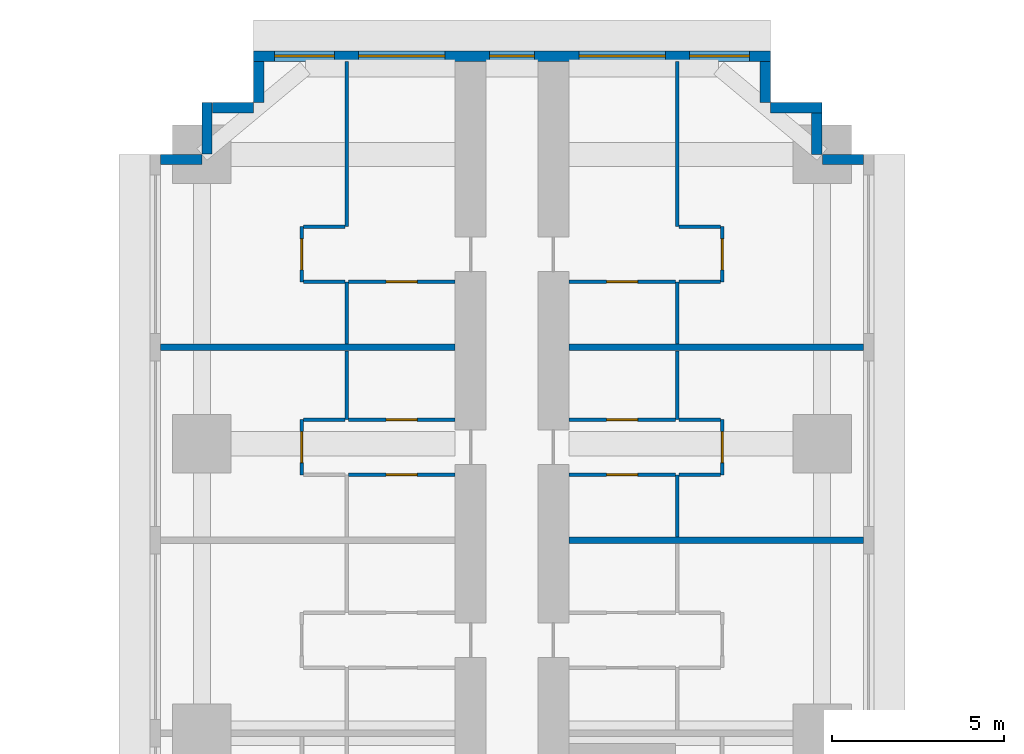
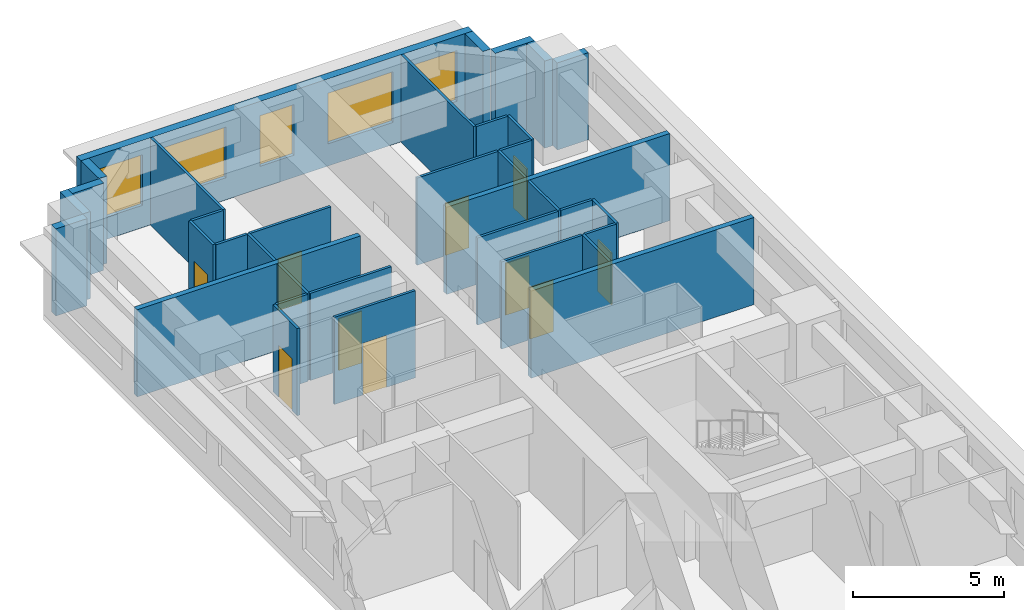
# One storey, part 14 of 16: 36 walls, 10 doors, 5 windows, 15 openings.
"""IFC4 building model written with IfcOpenShell, lengths in metres."""

from ifc_helpers import new_model, si_unit, direction, frame, frame_2d, origin, place, context, subcontext, project, spatial, rectangle, extrude, material, layer, layer_set, type_object, element, fill, save


model = new_model("IFC4")

# Units and contexts
model_context = context("Model", 3, precision=1e-05, world=origin(), true_north=direction((0.0, 1.0)))
body_context = subcontext(model_context, "Body", "Model", "MODEL_VIEW")
ifc_project = project(units=[si_unit("LENGTHUNIT", "METRE"), si_unit("AREAUNIT", "SQUARE_METRE"), si_unit("VOLUMEUNIT", "CUBIC_METRE"), si_unit("PLANEANGLEUNIT", "RADIAN"), si_unit("MASSUNIT", "GRAM", prefix="KILO")], contexts=[model_context])

# Site, building, storey
site_placement = place(None, origin())
site = spatial("IfcSite", under=ifc_project, at=site_placement, CompositionType="ELEMENT")
building_placement = place(site_placement, origin())
building = spatial("IfcBuilding", under=site, at=building_placement, Name="Impinga Residences", CompositionType="ELEMENT")
storey_placement = place(building_placement, frame((0.0, 0.0, 37.25)))
storey = spatial("IfcBuildingStorey", under=building, at=storey_placement, Name="L08", CompositionType="ELEMENT", Elevation=37.25)

# Walls
ifc_material_1 = material(Name="Terracotta rainscreen on blockwork", Category="masonry")
ifc_layer_1 = layer(ifc_material_1, 0.300048828125)
ifc_layer_set_1 = layer_set([ifc_layer_1], Name="EW1 external wall, terracotta rainscreen on blockwork 300")
wall_type_1 = type_object("IfcWallType", Name="EW1 external wall, terracotta rainscreen on blockwork 300", PredefinedType="SOLIDWALL", material=ifc_layer_set_1)
wall_1_placement = place(storey_placement, frame((-10.199951171875, 44.881591796875, 0.0), z_axis=(0.0, 0.0, 1.0), x_axis=(1.0, 0.0, 0.0)))
element("IfcWall", 1, at=wall_1_placement, inside=storey, type_object=wall_type_1, Name="External wall EW1 L08", PredefinedType="SOLIDWALL", context=body_context, shape_type="SweptSolid", body=[
    extrude(rectangle(XDim=1.199951171875, YDim=0.300048828125, at=frame_2d((0.60009765625, 0.0))), origin(), (0.0, 0.0, 1.0), 3.530029296875),
])
wall_2_placement = place(storey_placement, frame((-8.85009765625, 45.03662109375, 0.0), z_axis=(0.0, 0.0, 1.0), x_axis=(0.0, 1.0, 0.0)))
element("IfcWall", 2, at=wall_2_placement, inside=storey, type_object=wall_type_1, Name="External wall EW1 L08", PredefinedType="SOLIDWALL", context=body_context, shape_type="SweptSolid", body=[
    extrude(rectangle(XDim=1.494873046875, YDim=0.300048828125, at=frame_2d((0.74755859375, 0.0))), origin(), (0.0, 0.0, 1.0), 3.530029296875),
])
wall_3_placement = place(storey_placement, frame((-8.699951171875, 46.381591796875, 0.0), z_axis=(0.0, 0.0, 1.0), x_axis=(1.0, 0.0, 0.0)))
element("IfcWall", 3, at=wall_3_placement, inside=storey, type_object=wall_type_1, Name="External wall EW1 L08", PredefinedType="SOLIDWALL", context=body_context, shape_type="SweptSolid", body=[
    extrude(rectangle(XDim=1.199951171875, YDim=0.300048828125, at=frame_2d((0.60009765625, 0.0))), origin(), (0.0, 0.0, 1.0), 3.530029296875),
])
wall_4_placement = place(storey_placement, frame((-7.35009765625, 46.53662109375, 0.0), z_axis=(0.0, 0.0, 1.0), x_axis=(0.0, 1.0, 0.0)))
element("IfcWall", 4, at=wall_4_placement, inside=storey, type_object=wall_type_1, Name="External wall EW1 L08", PredefinedType="SOLIDWALL", context=body_context, shape_type="SweptSolid", body=[
    extrude(rectangle(XDim=1.19482421875, YDim=0.300048828125, at=frame_2d((0.597412109375, 0.0))), origin(), (0.0, 0.0, 1.0), 3.530029296875),
])

# Wall, openings, windows
wall_5_placement = place(storey_placement, frame((-7.5, 47.881591796875, 0.0), z_axis=(0.0, 0.0, 1.0), x_axis=(1.0, 0.0, 0.0)))
wall_5 = element("IfcWall", 5, at=wall_5_placement, inside=storey, type_object=wall_type_1, Name="External wall EW1 L08", PredefinedType="SOLIDWALL", context=body_context, shape_type="SweptSolid", body=[
    extrude(rectangle(XDim=15.0, YDim=0.300048828125, at=frame_2d((7.5, 0.0))), origin(), (0.0, 0.0, 1.0), 3.530029296875),
])
opening_1_placement = place(wall_5_placement, frame((0.60009765625, 0.0, 0.89990234375)))
opening_1 = element("IfcOpeningElement", 6, at=opening_1_placement, cuts=wall_5, Name="Opening W1", PredefinedType="OPENING", context=body_context, shape_type="SweptSolid", body=[
    extrude(rectangle(XDim=1.75, YDim=2.050048828125, at=frame_2d((0.875, 1.02490234375))), frame((0.0, 0.159912109375, 0.0), z_axis=(0.0, -1.0, 0.0), x_axis=(1.0, 0.0, 0.0)), (0.0, 0.0, 1.0), 0.320068359375),
])
opening_2_placement = place(wall_5_placement, frame((3.050048828125, 0.0, 0.89990234375)))
opening_2 = element("IfcOpeningElement", 7, at=opening_2_placement, cuts=wall_5, Name="Opening W2", PredefinedType="OPENING", context=body_context, shape_type="SweptSolid", body=[
    extrude(rectangle(XDim=2.5, YDim=2.050048828125, at=frame_2d((1.25, 1.02490234375))), frame((0.0, 0.159912109375, 0.0), z_axis=(0.0, -1.0, 0.0), x_axis=(1.0, 0.0, 0.0)), (0.0, 0.0, 1.0), 0.320068359375),
])
opening_3_placement = place(wall_5_placement, frame((6.85009765625, 0.0, 0.89990234375)))
opening_3 = element("IfcOpeningElement", 8, at=opening_3_placement, cuts=wall_5, Name="Opening WE1", PredefinedType="OPENING", context=body_context, shape_type="SweptSolid", body=[
    extrude(rectangle(XDim=1.300048828125, YDim=2.050048828125, at=frame_2d((0.64990234375, 1.02490234375))), frame((0.0, 0.159912109375, 0.0), z_axis=(0.0, -1.0, 0.0), x_axis=(1.0, 0.0, 0.0)), (0.0, 0.0, 1.0), 0.320068359375),
])
opening_4_placement = place(wall_5_placement, frame((9.449951171875, 0.0, 0.89990234375)))
opening_4 = element("IfcOpeningElement", 9, at=opening_4_placement, cuts=wall_5, Name="Opening W2", PredefinedType="OPENING", context=body_context, shape_type="SweptSolid", body=[
    extrude(rectangle(XDim=2.5, YDim=2.050048828125, at=frame_2d((1.25, 1.02490234375))), frame((0.0, 0.159912109375, 0.0), z_axis=(0.0, -1.0, 0.0), x_axis=(1.0, 0.0, 0.0)), (0.0, 0.0, 1.0), 0.320068359375),
])
opening_5_placement = place(wall_5_placement, frame((12.64990234375, 0.0, 0.89990234375)))
opening_5 = element("IfcOpeningElement", 10, at=opening_5_placement, cuts=wall_5, Name="Opening W1", PredefinedType="OPENING", context=body_context, shape_type="SweptSolid", body=[
    extrude(rectangle(XDim=1.75, YDim=2.050048828125, at=frame_2d((0.875, 1.02490234375))), frame((0.0, 0.159912109375, 0.0), z_axis=(0.0, -1.0, 0.0), x_axis=(1.0, 0.0, 0.0)), (0.0, 0.0, 1.0), 0.320068359375),
])
ifc_material_2 = material(Name="Aluminium window, clear double glazing", Category="aluminium")
window_type_1 = type_object("IfcWindowType", Name="W1 ribbon window 1750x2050", PartitioningType="SINGLE_PANEL", PredefinedType="WINDOW", material=ifc_material_2)
window_1_placement = place(opening_1_placement, origin())
window_1 = element("IfcWindow", 11, at=window_1_placement, inside=storey, type_object=window_type_1, Name="Window L08", OverallHeight=2.050048828125, OverallWidth=1.75, PartitioningType="SINGLE_PANEL", PredefinedType="WINDOW", context=body_context, shape_type="SweptSolid", body=[
    extrude(rectangle(XDim=1.75, YDim=2.050048828125, at=frame_2d((0.875, 1.02490234375))), frame((0.0, 0.030029296875, 0.0), z_axis=(0.0, -1.0, 0.0), x_axis=(1.0, 0.0, 0.0)), (0.0, 0.0, 1.0), 0.06005859375),
])
fill(opening_1, window_1)
window_2_placement = place(opening_5_placement, origin())
window_2 = element("IfcWindow", 12, at=window_2_placement, inside=storey, type_object=window_type_1, Name="Window L08", OverallHeight=2.050048828125, OverallWidth=1.75, PartitioningType="SINGLE_PANEL", PredefinedType="WINDOW", context=body_context, shape_type="SweptSolid", body=[
    extrude(rectangle(XDim=1.75, YDim=2.050048828125, at=frame_2d((0.875, 1.02490234375))), frame((0.0, 0.030029296875, 0.0), z_axis=(0.0, -1.0, 0.0), x_axis=(1.0, 0.0, 0.0)), (0.0, 0.0, 1.0), 0.06005859375),
])
fill(opening_5, window_2)
window_type_2 = type_object("IfcWindowType", Name="W2 ribbon window 2500x2050", PartitioningType="SINGLE_PANEL", PredefinedType="WINDOW", material=ifc_material_2)
window_3_placement = place(opening_2_placement, origin())
window_3 = element("IfcWindow", 13, at=window_3_placement, inside=storey, type_object=window_type_2, Name="Window L08", OverallHeight=2.050048828125, OverallWidth=2.5, PartitioningType="SINGLE_PANEL", PredefinedType="WINDOW", context=body_context, shape_type="SweptSolid", body=[
    extrude(rectangle(XDim=2.5, YDim=2.050048828125, at=frame_2d((1.25, 1.02490234375))), frame((0.0, 0.030029296875, 0.0), z_axis=(0.0, -1.0, 0.0), x_axis=(1.0, 0.0, 0.0)), (0.0, 0.0, 1.0), 0.06005859375),
])
fill(opening_2, window_3)
window_4_placement = place(opening_4_placement, origin())
window_4 = element("IfcWindow", 14, at=window_4_placement, inside=storey, type_object=window_type_2, Name="Window L08", OverallHeight=2.050048828125, OverallWidth=2.5, PartitioningType="SINGLE_PANEL", PredefinedType="WINDOW", context=body_context, shape_type="SweptSolid", body=[
    extrude(rectangle(XDim=2.5, YDim=2.050048828125, at=frame_2d((1.25, 1.02490234375))), frame((0.0, 0.030029296875, 0.0), z_axis=(0.0, -1.0, 0.0), x_axis=(1.0, 0.0, 0.0)), (0.0, 0.0, 1.0), 0.06005859375),
])
fill(opening_4, window_4)
window_type_3 = type_object("IfcWindowType", Name="WE1 corridor window 1300x2050", PartitioningType="SINGLE_PANEL", PredefinedType="WINDOW", material=ifc_material_2)
window_5_placement = place(opening_3_placement, origin())
window_5 = element("IfcWindow", 15, at=window_5_placement, inside=storey, type_object=window_type_3, Name="Window L08", OverallHeight=2.050048828125, OverallWidth=1.300048828125, PartitioningType="SINGLE_PANEL", PredefinedType="WINDOW", context=body_context, shape_type="SweptSolid", body=[
    extrude(rectangle(XDim=1.300048828125, YDim=2.050048828125, at=frame_2d((0.64990234375, 1.02490234375))), frame((0.0, 0.030029296875, 0.0), z_axis=(0.0, -1.0, 0.0), x_axis=(1.0, 0.0, 0.0)), (0.0, 0.0, 1.0), 0.06005859375),
])
fill(opening_3, window_5)

# Walls
wall_6_placement = place(storey_placement, frame((7.35009765625, 47.7314453125, 0.0), z_axis=(0.0, 0.0, 1.0), x_axis=(0.0, -1.0, 0.0)))
element("IfcWall", 16, at=wall_6_placement, inside=storey, type_object=wall_type_1, Name="External wall EW1 L08", PredefinedType="SOLIDWALL", context=body_context, shape_type="SweptSolid", body=[
    extrude(rectangle(XDim=1.19482421875, YDim=0.300048828125, at=frame_2d((0.597412109375, 0.0))), origin(), (0.0, 0.0, 1.0), 3.530029296875),
])
wall_7_placement = place(storey_placement, frame((7.5, 46.381591796875, 0.0), z_axis=(0.0, 0.0, 1.0), x_axis=(1.0, 0.0, 0.0)))
element("IfcWall", 17, at=wall_7_placement, inside=storey, type_object=wall_type_1, Name="External wall EW1 L08", PredefinedType="SOLIDWALL", context=body_context, shape_type="SweptSolid", body=[
    extrude(rectangle(XDim=1.5, YDim=0.300048828125, at=frame_2d((0.75, 0.0))), origin(), (0.0, 0.0, 1.0), 3.530029296875),
])
wall_8_placement = place(storey_placement, frame((8.85009765625, 46.2314453125, 0.0), z_axis=(0.0, 0.0, 1.0), x_axis=(0.0, -1.0, 0.0)))
element("IfcWall", 18, at=wall_8_placement, inside=storey, type_object=wall_type_1, Name="External wall EW1 L08", PredefinedType="SOLIDWALL", context=body_context, shape_type="SweptSolid", body=[
    extrude(rectangle(XDim=1.199951171875, YDim=0.300048828125, at=frame_2d((0.60009765625, 0.0))), origin(), (0.0, 0.0, 1.0), 3.530029296875),
])
wall_9_placement = place(storey_placement, frame((9.0048828125, 44.881591796875, 0.0), z_axis=(0.0, 0.0, 1.0), x_axis=(1.0, 0.0, 0.0)))
element("IfcWall", 19, at=wall_9_placement, inside=storey, type_object=wall_type_1, Name="External wall EW1 L08", PredefinedType="SOLIDWALL", context=body_context, shape_type="SweptSolid", body=[
    extrude(rectangle(XDim=1.195068359375, YDim=0.300048828125, at=frame_2d((0.59765625, 0.0))), origin(), (0.0, 0.0, 1.0), 3.530029296875),
])
ifc_material_3 = material(Name="Gypsum board on steel studs", Category="steel")
ifc_layer_2 = layer(ifc_material_3, 0.10009765625)
ifc_layer_set_2 = layer_set([ifc_layer_2], Name="Gypsum board on steel studs")
wall_type_2 = type_object("IfcWallType", Name="IP1 partition 100", PredefinedType="PARTITIONING", material=ifc_layer_set_2)
wall_10_placement = place(storey_placement, frame((-4.800048828125, 37.33154296875, 0.0), z_axis=(0.0, 0.0, 1.0), x_axis=(0.0, 1.0, 0.0)))
element("IfcWall", 20, at=wall_10_placement, inside=storey, type_object=wall_type_2, Name="Partition L08-NA4:DIV1", PredefinedType="PARTITIONING", context=body_context, shape_type="SweptSolid", body=[
    extrude(rectangle(XDim=2.0, YDim=0.10009765625, at=frame_2d((1.0, 0.0))), origin(), (0.0, 0.0, 1.0), 3.530029296875),
])

# Wall, opening, door
wall_11_placement = place(storey_placement, frame((-6.10009765625, 35.7314453125, 0.0), z_axis=(0.0, 0.0, 1.0), x_axis=(0.0, 1.0, 0.0)))
wall_11 = element("IfcWall", 21, at=wall_11_placement, inside=storey, type_object=wall_type_2, Name="Partition L08-NA4:STRIP", PredefinedType="PARTITIONING", context=body_context, shape_type="SweptSolid", body=[
    extrude(rectangle(XDim=1.60009765625, YDim=0.10009765625, at=frame_2d((0.800048828125, 0.0))), origin(), (0.0, 0.0, 1.0), 3.530029296875),
])
opening_6_placement = place(wall_11_placement, frame((0.35009765625, 0.0, 0.0)))
opening_6 = element("IfcOpeningElement", 22, at=opening_6_placement, cuts=wall_11, Name="Opening D2", PredefinedType="OPENING", context=body_context, shape_type="SweptSolid", body=[
    extrude(rectangle(XDim=0.89990234375, YDim=2.10009765625, at=frame_2d((0.449951171875, 1.050048828125))), frame((0.0, 0.06005859375, 0.0), z_axis=(0.0, -1.0, 0.0), x_axis=(1.0, 0.0, 0.0)), (0.0, 0.0, 1.0), 0.1201171875),
])
ifc_material_4 = material(Name="Timber door set", Category="wood")
door_type = type_object("IfcDoorType", Name="D2 internal door 900x2100", OperationType="SINGLE_SWING_LEFT", PredefinedType="DOOR", material=ifc_material_4)
door_1_placement = place(opening_6_placement, origin())
door_1 = element("IfcDoor", 23, at=door_1_placement, inside=storey, type_object=door_type, Name="Apartment L08-NA4 room door", OperationType="SINGLE_SWING_LEFT", OverallHeight=2.10009765625, OverallWidth=0.89990234375, PredefinedType="DOOR", context=body_context, shape_type="SweptSolid", body=[
    extrude(rectangle(XDim=0.89990234375, YDim=2.10009765625, at=frame_2d((0.449951171875, 1.050048828125))), frame((0.0, 0.02490234375, 0.0), z_axis=(0.0, -1.0, 0.0), x_axis=(1.0, 0.0, 0.0)), (0.0, 0.0, 1.0), 0.050048828125),
])
fill(opening_6, door_1)

# Wall
wall_12_placement = place(storey_placement, frame((-4.85009765625, 37.33154296875, 0.0), z_axis=(0.0, 0.0, 1.0), x_axis=(-1.0, 0.0, 0.0)))
element("IfcWall", 24, at=wall_12_placement, inside=storey, type_object=wall_type_2, Name="Partition L08-NA4:SE1", PredefinedType="PARTITIONING", context=body_context, shape_type="SweptSolid", body=[
    extrude(rectangle(XDim=1.199951171875, YDim=0.10009765625, at=frame_2d((0.60009765625, 0.0))), origin(), (0.0, 0.0, 1.0), 3.530029296875),
])

# Wall, opening, door
wall_13_placement = place(storey_placement, frame((-1.64990234375, 35.7314453125, 0.0), z_axis=(0.0, 0.0, 1.0), x_axis=(-1.0, 0.0, 0.0)))
wall_13 = element("IfcWall", 25, at=wall_13_placement, inside=storey, type_object=wall_type_2, Name="Partition L08-NA4:IB1", PredefinedType="PARTITIONING", context=body_context, shape_type="SweptSolid", body=[
    extrude(rectangle(XDim=3.10009765625, YDim=0.10009765625, at=frame_2d((1.550048828125, 0.0))), origin(), (0.0, 0.0, 1.0), 3.530029296875),
])
opening_7_placement = place(wall_13_placement, frame((1.10009765625, 0.0, 0.0)))
opening_7 = element("IfcOpeningElement", 26, at=opening_7_placement, cuts=wall_13, Name="Opening D2", PredefinedType="OPENING", context=body_context, shape_type="SweptSolid", body=[
    extrude(rectangle(XDim=0.89990234375, YDim=2.10009765625, at=frame_2d((0.449951171875, 1.050048828125))), frame((0.0, 0.06005859375, 0.0), z_axis=(0.0, -1.0, 0.0), x_axis=(1.0, 0.0, 0.0)), (0.0, 0.0, 1.0), 0.1201171875),
])
door_2_placement = place(opening_7_placement, origin())
door_2 = element("IfcDoor", 27, at=door_2_placement, inside=storey, type_object=door_type, Name="Apartment L08-NA4 bathroom door", OperationType="SINGLE_SWING_LEFT", OverallHeight=2.10009765625, OverallWidth=0.89990234375, PredefinedType="DOOR", context=body_context, shape_type="SweptSolid", body=[
    extrude(rectangle(XDim=0.89990234375, YDim=2.10009765625, at=frame_2d((0.449951171875, 1.050048828125))), frame((0.0, 0.02490234375, 0.0), z_axis=(0.0, -1.0, 0.0), x_axis=(1.0, 0.0, 0.0)), (0.0, 0.0, 1.0), 0.050048828125),
])
fill(opening_7, door_2)

wall_14_placement = place(storey_placement, frame((-1.64990234375, 37.33154296875, 0.0), z_axis=(0.0, 0.0, 1.0), x_axis=(-1.0, 0.0, 0.0)))
wall_14 = element("IfcWall", 28, at=wall_14_placement, inside=storey, type_object=wall_type_2, Name="Partition L08-NA4:IB2", PredefinedType="PARTITIONING", context=body_context, shape_type="SweptSolid", body=[
    extrude(rectangle(XDim=3.10009765625, YDim=0.10009765625, at=frame_2d((1.550048828125, 0.0))), origin(), (0.0, 0.0, 1.0), 3.530029296875),
])
opening_8_placement = place(wall_14_placement, frame((1.10009765625, 0.0, 0.0)))
opening_8 = element("IfcOpeningElement", 29, at=opening_8_placement, cuts=wall_14, Name="Opening D2", PredefinedType="OPENING", context=body_context, shape_type="SweptSolid", body=[
    extrude(rectangle(XDim=0.89990234375, YDim=2.10009765625, at=frame_2d((0.449951171875, 1.050048828125))), frame((0.0, 0.06005859375, 0.0), z_axis=(0.0, -1.0, 0.0), x_axis=(1.0, 0.0, 0.0)), (0.0, 0.0, 1.0), 0.1201171875),
])
door_3_placement = place(opening_8_placement, origin())
door_3 = element("IfcDoor", 30, at=door_3_placement, inside=storey, type_object=door_type, Name="Apartment L08-NA4 WC door", OperationType="SINGLE_SWING_LEFT", OverallHeight=2.10009765625, OverallWidth=0.89990234375, PredefinedType="DOOR", context=body_context, shape_type="SweptSolid", body=[
    extrude(rectangle(XDim=0.89990234375, YDim=2.10009765625, at=frame_2d((0.449951171875, 1.050048828125))), frame((0.0, 0.02490234375, 0.0), z_axis=(0.0, -1.0, 0.0), x_axis=(1.0, 0.0, 0.0)), (0.0, 0.0, 1.0), 0.050048828125),
])
fill(opening_8, door_3)

# Walls
wall_15_placement = place(storey_placement, frame((-4.800048828125, 39.531494140625, 0.0), z_axis=(0.0, 0.0, 1.0), x_axis=(0.0, 1.0, 0.0)))
element("IfcWall", 31, at=wall_15_placement, inside=storey, type_object=wall_type_2, Name="Partition L08-NA5:DIV0", PredefinedType="PARTITIONING", context=body_context, shape_type="SweptSolid", body=[
    extrude(rectangle(XDim=1.800048828125, YDim=0.10009765625, at=frame_2d((0.89990234375, 0.0))), origin(), (0.0, 0.0, 1.0), 3.530029296875),
])
wall_16_placement = place(storey_placement, frame((-4.800048828125, 42.931640625, 0.0), z_axis=(0.0, 0.0, 1.0), x_axis=(0.0, 1.0, 0.0)))
element("IfcWall", 32, at=wall_16_placement, inside=storey, type_object=wall_type_2, Name="Partition L08-NA5:DIV1", PredefinedType="PARTITIONING", context=body_context, shape_type="SweptSolid", body=[
    extrude(rectangle(XDim=4.7998046875, YDim=0.10009765625, at=frame_2d((2.39990234375, 0.0))), origin(), (0.0, 0.0, 1.0), 3.530029296875),
])

# Wall, opening, door
wall_17_placement = place(storey_placement, frame((-6.10009765625, 41.33154296875, 0.0), z_axis=(0.0, 0.0, 1.0), x_axis=(0.0, 1.0, 0.0)))
wall_17 = element("IfcWall", 33, at=wall_17_placement, inside=storey, type_object=wall_type_2, Name="Partition L08-NA5:STRIP", PredefinedType="PARTITIONING", context=body_context, shape_type="SweptSolid", body=[
    extrude(rectangle(XDim=1.60009765625, YDim=0.10009765625, at=frame_2d((0.800048828125, 0.0))), origin(), (0.0, 0.0, 1.0), 3.530029296875),
])
opening_9_placement = place(wall_17_placement, frame((0.35009765625, 0.0, 0.0)))
opening_9 = element("IfcOpeningElement", 34, at=opening_9_placement, cuts=wall_17, Name="Opening D2", PredefinedType="OPENING", context=body_context, shape_type="SweptSolid", body=[
    extrude(rectangle(XDim=0.89990234375, YDim=2.10009765625, at=frame_2d((0.449951171875, 1.050048828125))), frame((0.0, 0.06005859375, 0.0), z_axis=(0.0, -1.0, 0.0), x_axis=(1.0, 0.0, 0.0)), (0.0, 0.0, 1.0), 0.1201171875),
])
door_4_placement = place(opening_9_placement, origin())
door_4 = element("IfcDoor", 35, at=door_4_placement, inside=storey, type_object=door_type, Name="Apartment L08-NA5 room door", OperationType="SINGLE_SWING_LEFT", OverallHeight=2.10009765625, OverallWidth=0.89990234375, PredefinedType="DOOR", context=body_context, shape_type="SweptSolid", body=[
    extrude(rectangle(XDim=0.89990234375, YDim=2.10009765625, at=frame_2d((0.449951171875, 1.050048828125))), frame((0.0, 0.02490234375, 0.0), z_axis=(0.0, -1.0, 0.0), x_axis=(1.0, 0.0, 0.0)), (0.0, 0.0, 1.0), 0.050048828125),
])
fill(opening_9, door_4)

# Walls
for number, where, z_axis, x_axis, name in (
    (36, (-4.85009765625, 41.33154296875, 0.0), (0.0, 0.0, 1.0), (-1.0, 0.0, 0.0), "Partition L08-NA5:SE0"),
    (37, (-4.85009765625, 42.931640625, 0.0), (0.0, 0.0, 1.0), (-1.0, 0.0, 0.0), "Partition L08-NA5:SE1"),
):
    element("IfcWall", number, at=place(storey_placement, frame(where, z_axis=z_axis, x_axis=x_axis)), inside=storey, type_object=wall_type_2, Name=name, PredefinedType="PARTITIONING", context=body_context, shape_type="SweptSolid", body=[
        extrude(rectangle(XDim=1.199951171875, YDim=0.10009765625, at=frame_2d((0.60009765625, 0.0))), origin(), (0.0, 0.0, 1.0), 3.530029296875),
    ])

# Wall, opening, door
wall_18_placement = place(storey_placement, frame((-1.64990234375, 41.33154296875, 0.0), z_axis=(0.0, 0.0, 1.0), x_axis=(-1.0, 0.0, 0.0)))
wall_18 = element("IfcWall", 38, at=wall_18_placement, inside=storey, type_object=wall_type_2, Name="Partition L08-NA5:IB1", PredefinedType="PARTITIONING", context=body_context, shape_type="SweptSolid", body=[
    extrude(rectangle(XDim=3.10009765625, YDim=0.10009765625, at=frame_2d((1.550048828125, 0.0))), origin(), (0.0, 0.0, 1.0), 3.530029296875),
])
opening_10_placement = place(wall_18_placement, frame((1.10009765625, 0.0, 0.0)))
opening_10 = element("IfcOpeningElement", 39, at=opening_10_placement, cuts=wall_18, Name="Opening D2", PredefinedType="OPENING", context=body_context, shape_type="SweptSolid", body=[
    extrude(rectangle(XDim=0.89990234375, YDim=2.10009765625, at=frame_2d((0.449951171875, 1.050048828125))), frame((0.0, 0.06005859375, 0.0), z_axis=(0.0, -1.0, 0.0), x_axis=(1.0, 0.0, 0.0)), (0.0, 0.0, 1.0), 0.1201171875),
])
door_5_placement = place(opening_10_placement, origin())
door_5 = element("IfcDoor", 40, at=door_5_placement, inside=storey, type_object=door_type, Name="Apartment L08-NA5 bathroom door", OperationType="SINGLE_SWING_LEFT", OverallHeight=2.10009765625, OverallWidth=0.89990234375, PredefinedType="DOOR", context=body_context, shape_type="SweptSolid", body=[
    extrude(rectangle(XDim=0.89990234375, YDim=2.10009765625, at=frame_2d((0.449951171875, 1.050048828125))), frame((0.0, 0.02490234375, 0.0), z_axis=(0.0, -1.0, 0.0), x_axis=(1.0, 0.0, 0.0)), (0.0, 0.0, 1.0), 0.050048828125),
])
fill(opening_10, door_5)

# Walls
wall_19_placement = place(storey_placement, frame((4.800048828125, 33.931640625, 0.0), z_axis=(0.0, 0.0, 1.0), x_axis=(0.0, 1.0, 0.0)))
element("IfcWall", 41, at=wall_19_placement, inside=storey, type_object=wall_type_2, Name="Partition L08-NF3:DIV0", PredefinedType="PARTITIONING", context=body_context, shape_type="SweptSolid", body=[
    extrude(rectangle(XDim=1.7998046875, YDim=0.10009765625, at=frame_2d((0.89990234375, 0.0))), origin(), (0.0, 0.0, 1.0), 3.530029296875),
])
wall_20_placement = place(storey_placement, frame((4.800048828125, 37.33154296875, 0.0), z_axis=(0.0, 0.0, 1.0), x_axis=(0.0, 1.0, 0.0)))
element("IfcWall", 42, at=wall_20_placement, inside=storey, type_object=wall_type_2, Name="Partition L08-NF3:DIV1", PredefinedType="PARTITIONING", context=body_context, shape_type="SweptSolid", body=[
    extrude(rectangle(XDim=2.0, YDim=0.10009765625, at=frame_2d((1.0, 0.0))), origin(), (0.0, 0.0, 1.0), 3.530029296875),
])

# Wall, opening, door
wall_21_placement = place(storey_placement, frame((6.10009765625, 35.7314453125, 0.0), z_axis=(0.0, 0.0, 1.0), x_axis=(0.0, 1.0, 0.0)))
wall_21 = element("IfcWall", 43, at=wall_21_placement, inside=storey, type_object=wall_type_2, Name="Partition L08-NF3:STRIP", PredefinedType="PARTITIONING", context=body_context, shape_type="SweptSolid", body=[
    extrude(rectangle(XDim=1.60009765625, YDim=0.10009765625, at=frame_2d((0.800048828125, 0.0))), origin(), (0.0, 0.0, 1.0), 3.530029296875),
])
opening_11_placement = place(wall_21_placement, frame((0.35009765625, 0.0, 0.0)))
opening_11 = element("IfcOpeningElement", 44, at=opening_11_placement, cuts=wall_21, Name="Opening D2", PredefinedType="OPENING", context=body_context, shape_type="SweptSolid", body=[
    extrude(rectangle(XDim=0.89990234375, YDim=2.10009765625, at=frame_2d((0.449951171875, 1.050048828125))), frame((0.0, 0.06005859375, 0.0), z_axis=(0.0, -1.0, 0.0), x_axis=(1.0, 0.0, 0.0)), (0.0, 0.0, 1.0), 0.1201171875),
])
door_6_placement = place(opening_11_placement, origin())
door_6 = element("IfcDoor", 45, at=door_6_placement, inside=storey, type_object=door_type, Name="Apartment L08-NF3 room door", OperationType="SINGLE_SWING_LEFT", OverallHeight=2.10009765625, OverallWidth=0.89990234375, PredefinedType="DOOR", context=body_context, shape_type="SweptSolid", body=[
    extrude(rectangle(XDim=0.89990234375, YDim=2.10009765625, at=frame_2d((0.449951171875, 1.050048828125))), frame((0.0, 0.02490234375, 0.0), z_axis=(0.0, -1.0, 0.0), x_axis=(1.0, 0.0, 0.0)), (0.0, 0.0, 1.0), 0.050048828125),
])
fill(opening_11, door_6)

# Walls
for number, where, z_axis, x_axis, name in (
    (46, (4.85009765625, 35.7314453125, 0.0), (0.0, 0.0, 1.0), (1.0, 0.0, 0.0), "Partition L08-NF3:SE0"),
    (47, (4.85009765625, 37.33154296875, 0.0), (0.0, 0.0, 1.0), (1.0, 0.0, 0.0), "Partition L08-NF3:SE1"),
):
    element("IfcWall", number, at=place(storey_placement, frame(where, z_axis=z_axis, x_axis=x_axis)), inside=storey, type_object=wall_type_2, Name=name, PredefinedType="PARTITIONING", context=body_context, shape_type="SweptSolid", body=[
        extrude(rectangle(XDim=1.199951171875, YDim=0.10009765625, at=frame_2d((0.60009765625, 0.0))), origin(), (0.0, 0.0, 1.0), 3.530029296875),
    ])

# Wall, opening, door
wall_22_placement = place(storey_placement, frame((1.64990234375, 35.7314453125, 0.0), z_axis=(0.0, 0.0, 1.0), x_axis=(1.0, 0.0, 0.0)))
wall_22 = element("IfcWall", 48, at=wall_22_placement, inside=storey, type_object=wall_type_2, Name="Partition L08-NF3:IB1", PredefinedType="PARTITIONING", context=body_context, shape_type="SweptSolid", body=[
    extrude(rectangle(XDim=3.10009765625, YDim=0.10009765625, at=frame_2d((1.550048828125, 0.0))), origin(), (0.0, 0.0, 1.0), 3.530029296875),
])
opening_12_placement = place(wall_22_placement, frame((1.10009765625, 0.0, 0.0)))
opening_12 = element("IfcOpeningElement", 49, at=opening_12_placement, cuts=wall_22, Name="Opening D2", PredefinedType="OPENING", context=body_context, shape_type="SweptSolid", body=[
    extrude(rectangle(XDim=0.89990234375, YDim=2.10009765625, at=frame_2d((0.449951171875, 1.050048828125))), frame((0.0, 0.06005859375, 0.0), z_axis=(0.0, -1.0, 0.0), x_axis=(1.0, 0.0, 0.0)), (0.0, 0.0, 1.0), 0.1201171875),
])
door_7_placement = place(opening_12_placement, origin())
door_7 = element("IfcDoor", 50, at=door_7_placement, inside=storey, type_object=door_type, Name="Apartment L08-NF3 bathroom door", OperationType="SINGLE_SWING_LEFT", OverallHeight=2.10009765625, OverallWidth=0.89990234375, PredefinedType="DOOR", context=body_context, shape_type="SweptSolid", body=[
    extrude(rectangle(XDim=0.89990234375, YDim=2.10009765625, at=frame_2d((0.449951171875, 1.050048828125))), frame((0.0, 0.02490234375, 0.0), z_axis=(0.0, -1.0, 0.0), x_axis=(1.0, 0.0, 0.0)), (0.0, 0.0, 1.0), 0.050048828125),
])
fill(opening_12, door_7)

wall_23_placement = place(storey_placement, frame((1.64990234375, 37.33154296875, 0.0), z_axis=(0.0, 0.0, 1.0), x_axis=(1.0, 0.0, 0.0)))
wall_23 = element("IfcWall", 51, at=wall_23_placement, inside=storey, type_object=wall_type_2, Name="Partition L08-NF3:IB2", PredefinedType="PARTITIONING", context=body_context, shape_type="SweptSolid", body=[
    extrude(rectangle(XDim=3.10009765625, YDim=0.10009765625, at=frame_2d((1.550048828125, 0.0))), origin(), (0.0, 0.0, 1.0), 3.530029296875),
])
opening_13_placement = place(wall_23_placement, frame((1.10009765625, 0.0, 0.0)))
opening_13 = element("IfcOpeningElement", 52, at=opening_13_placement, cuts=wall_23, Name="Opening D2", PredefinedType="OPENING", context=body_context, shape_type="SweptSolid", body=[
    extrude(rectangle(XDim=0.89990234375, YDim=2.10009765625, at=frame_2d((0.449951171875, 1.050048828125))), frame((0.0, 0.06005859375, 0.0), z_axis=(0.0, -1.0, 0.0), x_axis=(1.0, 0.0, 0.0)), (0.0, 0.0, 1.0), 0.1201171875),
])
door_8_placement = place(opening_13_placement, origin())
door_8 = element("IfcDoor", 53, at=door_8_placement, inside=storey, type_object=door_type, Name="Apartment L08-NF3 WC door", OperationType="SINGLE_SWING_LEFT", OverallHeight=2.10009765625, OverallWidth=0.89990234375, PredefinedType="DOOR", context=body_context, shape_type="SweptSolid", body=[
    extrude(rectangle(XDim=0.89990234375, YDim=2.10009765625, at=frame_2d((0.449951171875, 1.050048828125))), frame((0.0, 0.02490234375, 0.0), z_axis=(0.0, -1.0, 0.0), x_axis=(1.0, 0.0, 0.0)), (0.0, 0.0, 1.0), 0.050048828125),
])
fill(opening_13, door_8)

# Walls
wall_24_placement = place(storey_placement, frame((4.800048828125, 39.531494140625, 0.0), z_axis=(0.0, 0.0, 1.0), x_axis=(0.0, 1.0, 0.0)))
element("IfcWall", 54, at=wall_24_placement, inside=storey, type_object=wall_type_2, Name="Partition L08-NF4:DIV0", PredefinedType="PARTITIONING", context=body_context, shape_type="SweptSolid", body=[
    extrude(rectangle(XDim=1.800048828125, YDim=0.10009765625, at=frame_2d((0.89990234375, 0.0))), origin(), (0.0, 0.0, 1.0), 3.530029296875),
])
wall_25_placement = place(storey_placement, frame((4.800048828125, 42.931640625, 0.0), z_axis=(0.0, 0.0, 1.0), x_axis=(0.0, 1.0, 0.0)))
element("IfcWall", 55, at=wall_25_placement, inside=storey, type_object=wall_type_2, Name="Partition L08-NF4:DIV1", PredefinedType="PARTITIONING", context=body_context, shape_type="SweptSolid", body=[
    extrude(rectangle(XDim=4.7998046875, YDim=0.10009765625, at=frame_2d((2.39990234375, 0.0))), origin(), (0.0, 0.0, 1.0), 3.530029296875),
])

# Wall, opening, door
wall_26_placement = place(storey_placement, frame((6.10009765625, 41.33154296875, 0.0), z_axis=(0.0, 0.0, 1.0), x_axis=(0.0, 1.0, 0.0)))
wall_26 = element("IfcWall", 56, at=wall_26_placement, inside=storey, type_object=wall_type_2, Name="Partition L08-NF4:STRIP", PredefinedType="PARTITIONING", context=body_context, shape_type="SweptSolid", body=[
    extrude(rectangle(XDim=1.60009765625, YDim=0.10009765625, at=frame_2d((0.800048828125, 0.0))), origin(), (0.0, 0.0, 1.0), 3.530029296875),
])
opening_14_placement = place(wall_26_placement, frame((0.35009765625, 0.0, 0.0)))
opening_14 = element("IfcOpeningElement", 57, at=opening_14_placement, cuts=wall_26, Name="Opening D2", PredefinedType="OPENING", context=body_context, shape_type="SweptSolid", body=[
    extrude(rectangle(XDim=0.89990234375, YDim=2.10009765625, at=frame_2d((0.449951171875, 1.050048828125))), frame((0.0, 0.06005859375, 0.0), z_axis=(0.0, -1.0, 0.0), x_axis=(1.0, 0.0, 0.0)), (0.0, 0.0, 1.0), 0.1201171875),
])
door_9_placement = place(opening_14_placement, origin())
door_9 = element("IfcDoor", 58, at=door_9_placement, inside=storey, type_object=door_type, Name="Apartment L08-NF4 room door", OperationType="SINGLE_SWING_LEFT", OverallHeight=2.10009765625, OverallWidth=0.89990234375, PredefinedType="DOOR", context=body_context, shape_type="SweptSolid", body=[
    extrude(rectangle(XDim=0.89990234375, YDim=2.10009765625, at=frame_2d((0.449951171875, 1.050048828125))), frame((0.0, 0.02490234375, 0.0), z_axis=(0.0, -1.0, 0.0), x_axis=(1.0, 0.0, 0.0)), (0.0, 0.0, 1.0), 0.050048828125),
])
fill(opening_14, door_9)

# Walls
for number, where, z_axis, x_axis, name in (
    (59, (4.85009765625, 41.33154296875, 0.0), (0.0, 0.0, 1.0), (1.0, 0.0, 0.0), "Partition L08-NF4:SE0"),
    (60, (4.85009765625, 42.931640625, 0.0), (0.0, 0.0, 1.0), (1.0, 0.0, 0.0), "Partition L08-NF4:SE1"),
):
    element("IfcWall", number, at=place(storey_placement, frame(where, z_axis=z_axis, x_axis=x_axis)), inside=storey, type_object=wall_type_2, Name=name, PredefinedType="PARTITIONING", context=body_context, shape_type="SweptSolid", body=[
        extrude(rectangle(XDim=1.199951171875, YDim=0.10009765625, at=frame_2d((0.60009765625, 0.0))), origin(), (0.0, 0.0, 1.0), 3.530029296875),
    ])

# Wall, opening, door
wall_27_placement = place(storey_placement, frame((1.64990234375, 41.33154296875, 0.0), z_axis=(0.0, 0.0, 1.0), x_axis=(1.0, 0.0, 0.0)))
wall_27 = element("IfcWall", 61, at=wall_27_placement, inside=storey, type_object=wall_type_2, Name="Partition L08-NF4:IB1", PredefinedType="PARTITIONING", context=body_context, shape_type="SweptSolid", body=[
    extrude(rectangle(XDim=3.10009765625, YDim=0.10009765625, at=frame_2d((1.550048828125, 0.0))), origin(), (0.0, 0.0, 1.0), 3.530029296875),
])
opening_15_placement = place(wall_27_placement, frame((1.10009765625, 0.0, 0.0)))
opening_15 = element("IfcOpeningElement", 62, at=opening_15_placement, cuts=wall_27, Name="Opening D2", PredefinedType="OPENING", context=body_context, shape_type="SweptSolid", body=[
    extrude(rectangle(XDim=0.89990234375, YDim=2.10009765625, at=frame_2d((0.449951171875, 1.050048828125))), frame((0.0, 0.06005859375, 0.0), z_axis=(0.0, -1.0, 0.0), x_axis=(1.0, 0.0, 0.0)), (0.0, 0.0, 1.0), 0.1201171875),
])
door_10_placement = place(opening_15_placement, origin())
door_10 = element("IfcDoor", 63, at=door_10_placement, inside=storey, type_object=door_type, Name="Apartment L08-NF4 bathroom door", OperationType="SINGLE_SWING_LEFT", OverallHeight=2.10009765625, OverallWidth=0.89990234375, PredefinedType="DOOR", context=body_context, shape_type="SweptSolid", body=[
    extrude(rectangle(XDim=0.89990234375, YDim=2.10009765625, at=frame_2d((0.449951171875, 1.050048828125))), frame((0.0, 0.02490234375, 0.0), z_axis=(0.0, -1.0, 0.0), x_axis=(1.0, 0.0, 0.0)), (0.0, 0.0, 1.0), 0.050048828125),
])
fill(opening_15, door_10)

# Walls
ifc_material_5 = material(Name="Concrete blockwork", Category="masonry")
ifc_layer_3 = layer(ifc_material_5, 0.199951171875)
ifc_layer_set_3 = layer_set([ifc_layer_3], Name="PW1 party wall between apartments 200")
wall_type_3 = type_object("IfcWallType", Name="PW1 party wall between apartments 200", PredefinedType="SOLIDWALL", material=ifc_layer_set_3)
for number, where, z_axis, x_axis, name in (
    (64, (-1.64990234375, 39.431640625, 0.0), (0.0, 0.0, 1.0), (-1.0, 0.0, 0.0), "Party wall between apartments L08-NA4:PARTY"),
    (65, (1.64990234375, 33.83154296875, 0.0), (0.0, 0.0, 1.0), (1.0, 0.0, 0.0), "Party wall between apartments L08-NF2:PARTY"),
    (66, (1.64990234375, 39.431640625, 0.0), (0.0, 0.0, 1.0), (1.0, 0.0, 0.0), "Party wall between apartments L08-NF3:PARTY"),
):
    element("IfcWall", number, at=place(storey_placement, frame(where, z_axis=z_axis, x_axis=x_axis)), inside=storey, type_object=wall_type_3, Name=name, PredefinedType="SOLIDWALL", context=body_context, shape_type="SweptSolid", body=[
        extrude(rectangle(XDim=8.550048828125, YDim=0.199951171875, at=frame_2d((4.27490234375, 0.0))), origin(), (0.0, 0.0, 1.0), 3.530029296875),
    ])

save(model, "model.ifc")
